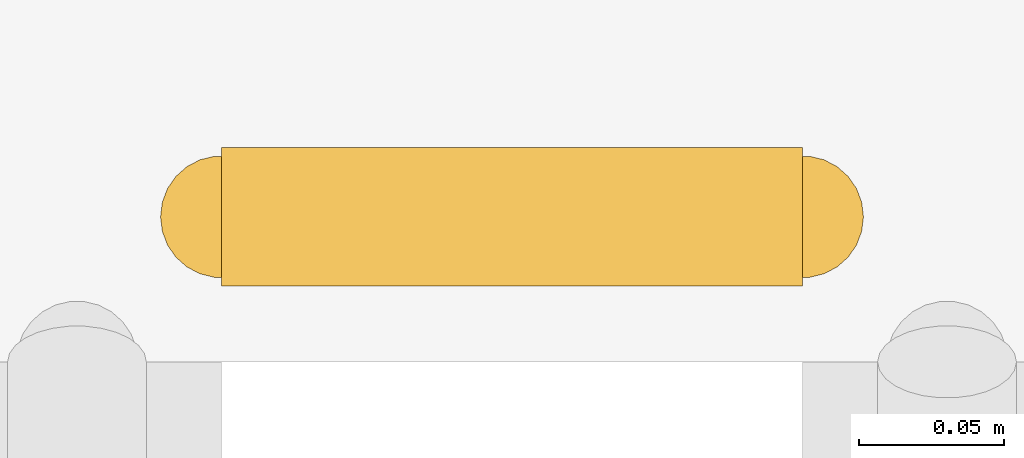
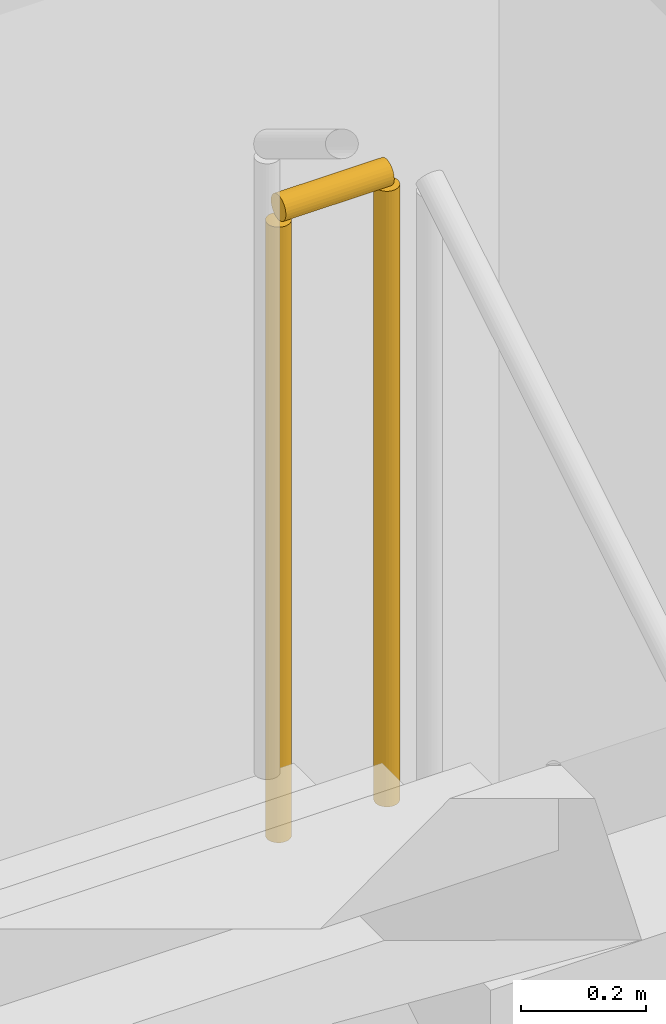
# One storey, part 12 of 12: 1 railing.
"""IFC4 building model written with IfcOpenShell, lengths in metres."""

from ifc_helpers import new_model, si_unit, direction, frame, origin, origin_2d, place, context, subcontext, project, spatial, circle, extrude, material, type_object, element, save


model = new_model("IFC4")

# Units and contexts
model_context = context("Model", 3, precision=1e-05, world=origin(), true_north=direction((0.0, 1.0)))
body_context = subcontext(model_context, "Body", "Model", "MODEL_VIEW")
ifc_project = project(units=[si_unit("LENGTHUNIT", "METRE"), si_unit("AREAUNIT", "SQUARE_METRE"), si_unit("VOLUMEUNIT", "CUBIC_METRE"), si_unit("PLANEANGLEUNIT", "RADIAN"), si_unit("MASSUNIT", "GRAM", prefix="KILO")], contexts=[model_context])

# Site, building, storey
site_placement = place(None, origin())
site = spatial("IfcSite", under=ifc_project, at=site_placement, CompositionType="ELEMENT")
building_placement = place(site_placement, origin())
building = spatial("IfcBuilding", under=site, at=building_placement, Name="Ochreholt Gables", CompositionType="ELEMENT")
storey_placement = place(building_placement, frame((0.0, 0.0, 9.60009765625)))
storey = spatial("IfcBuildingStorey", under=building, at=storey_placement, Name="L02", CompositionType="ELEMENT", Elevation=9.60009765625)

# Railing
ifc_material = material(Name="Painted Steel Stair Guardrail", Category="steel")
railing_type = type_object("IfcRailingType", Name="RL-ST-GUARD", PredefinedType="GUARDRAIL", material=ifc_material)
railing_placement = place(storey_placement, frame((26.60009765625, 36.176025390625, 2.39990234375)))
element("IfcRailing", 1, at=railing_placement, inside=storey, type_object=railing_type, Name="L02 ST-2 stair guard 2", PredefinedType="GUARDRAIL", context=body_context, shape_type="SweptSolid", body=[
    extrude(circle(Radius=0.02392578125, at=origin_2d()), frame((0.0, 0.0, 1.22607421875), z_axis=(-1.0, 0.0, 0.0), x_axis=(0.0, -1.0, 0.0)), (0.0, 0.0, 1.0), 0.2001953125),
    extrude(circle(Radius=0.02099609375, at=origin_2d()), origin(), (0.0, 0.0, 1.0), 1.201904296875),
    extrude(circle(Radius=0.02099609375, at=origin_2d()), frame((-0.2001953125, 0.0, 0.0)), (0.0, 0.0, 1.0), 1.201904296875),
])

save(model, "model.ifc")
